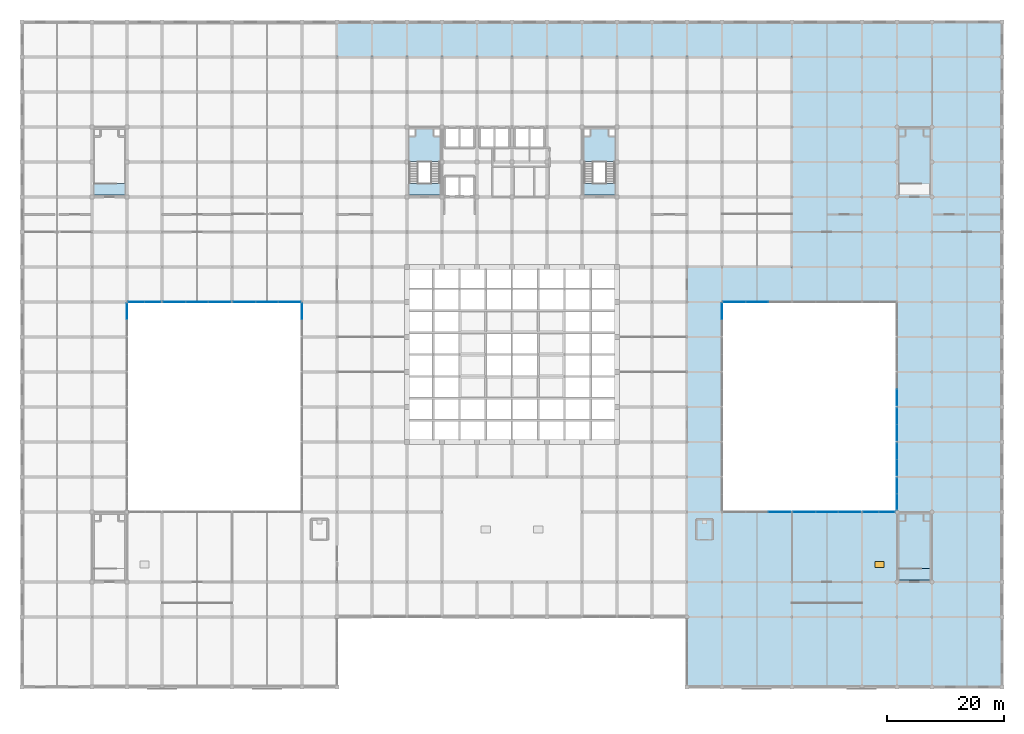
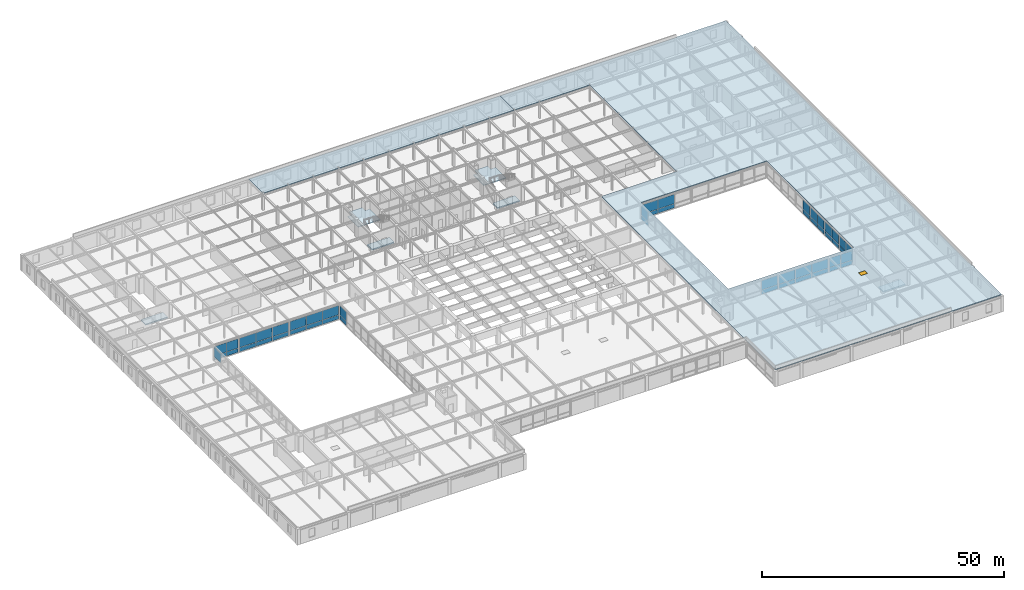
# One storey, part 98 of 111: 51 plates, 8 slabs, 1 window, 1 opening, 16 elements without a shape of their own.
"""IFC4 building model written with IfcOpenShell, lengths in metres."""

from ifc_helpers import new_model, si_unit, direction, frame, origin, origin_2d, place, context, subcontext, project, spatial, polyline, rectangle, outline, extrude, material, layer, layer_set, type_object, element, fill, aggregate, save


model = new_model("IFC4")

# Units and contexts
model_context = context("Model", 3, precision=1e-05, world=origin(), true_north=direction((0.0, 1.0)))
body_context = subcontext(model_context, "Body", "Model", "MODEL_VIEW")
ifc_project = project(units=[si_unit("LENGTHUNIT", "METRE"), si_unit("AREAUNIT", "SQUARE_METRE"), si_unit("VOLUMEUNIT", "CUBIC_METRE"), si_unit("PLANEANGLEUNIT", "RADIAN"), si_unit("MASSUNIT", "GRAM", prefix="KILO")], contexts=[model_context])

# Site, building, storey
site_placement = place(None, origin())
site = spatial("IfcSite", under=ifc_project, at=site_placement, CompositionType="ELEMENT")
building_placement = place(site_placement, origin())
building = spatial("IfcBuilding", under=site, at=building_placement, Name="Zlatovratsky Civic Hall", CompositionType="ELEMENT")
storey_placement = place(building_placement, frame((0.0, 0.0, 16.5)))
storey = spatial("IfcBuildingStorey", under=building, at=storey_placement, Name="L04", CompositionType="ELEMENT", Elevation=16.5)

# Curtain wall, plates
ifc_material_1 = material(Name="Anodised bronze aluminium", Category="aluminium")
ifc_layer_1 = layer(ifc_material_1, 0.159912109375)
ifc_layer_set_1 = layer_set([ifc_layer_1], Name="Anodised bronze aluminium")
curtain_wall_type_1 = type_object("IfcCurtainWallType", Name="CurtainWall_Bronze_5750x3550_18", PredefinedType="NOTDEFINED", material=ifc_layer_set_1)
curtain_wall_1_placement = place(storey_placement, origin())
curtain_wall_1 = element("IfcCurtainWall", 1, at=curtain_wall_1_placement, inside=storey, type_object=curtain_wall_type_1, Name="CW-096", PredefinedType="NOTDEFINED")
ifc_material_2 = material(Name="Low-E laminated double glazing", Category="glass")
ifc_layer_2 = layer(ifc_material_2, 0.02392578125)
ifc_layer_set_2 = layer_set([ifc_layer_2], Name="Low-E laminated double glazing")
plate_type = type_object("IfcPlateType", Name="Panel_CourtGlazing_24", PredefinedType="CURTAIN_PANEL", material=ifc_layer_set_2)
plate_1_placement = place(storey_placement, frame((19.577392578125, 66.0, 0.06005859375), z_axis=(0.0, 0.0, 1.0), x_axis=(1.0, 0.0, 0.0)))
plate_1 = element("IfcPlate", 2, at=plate_1_placement, type_object=plate_type, Name="CW-18 panel 1.1", PredefinedType="CURTAIN_PANEL", context=body_context, shape_type="SweptSolid", body=[
    extrude(rectangle(XDim=2.784912109375, YDim=0.02392578125, at=origin_2d()), origin(), (0.0, 0.0, 1.0), 1.010009765625),
])
plate_2_placement = place(storey_placement, frame((19.577392578125, 66.0, 1.1298828125), z_axis=(0.0, 0.0, 1.0), x_axis=(1.0, 0.0, 0.0)))
plate_2 = element("IfcPlate", 3, at=plate_2_placement, type_object=plate_type, Name="CW-18 panel 1.2", PredefinedType="CURTAIN_PANEL", context=body_context, shape_type="SweptSolid", body=[
    extrude(rectangle(XDim=2.784912109375, YDim=0.02392578125, at=origin_2d()), origin(), (0.0, 0.0, 1.0), 2.360107421875),
])
plate_3_placement = place(storey_placement, frame((22.422607421875, 66.0, 0.06005859375), z_axis=(0.0, 0.0, 1.0), x_axis=(1.0, 0.0, 0.0)))
plate_3 = element("IfcPlate", 4, at=plate_3_placement, type_object=plate_type, Name="CW-18 panel 2.1", PredefinedType="CURTAIN_PANEL", context=body_context, shape_type="SweptSolid", body=[
    extrude(rectangle(XDim=2.784912109375, YDim=0.02392578125, at=origin_2d()), origin(), (0.0, 0.0, 1.0), 1.010009765625),
])
plate_4_placement = place(storey_placement, frame((22.422607421875, 66.0, 1.1298828125), z_axis=(0.0, 0.0, 1.0), x_axis=(1.0, 0.0, 0.0)))
plate_4 = element("IfcPlate", 5, at=plate_4_placement, type_object=plate_type, Name="CW-18 panel 2.2", PredefinedType="CURTAIN_PANEL", context=body_context, shape_type="SweptSolid", body=[
    extrude(rectangle(XDim=2.784912109375, YDim=0.02392578125, at=origin_2d()), origin(), (0.0, 0.0, 1.0), 2.360107421875),
])
aggregate(curtain_wall_1, [plate_1, plate_2, plate_3, plate_4])

ifc_layer_3 = layer(ifc_material_1, 0.159912109375)
ifc_layer_set_3 = layer_set([ifc_layer_3], Name="Anodised bronze aluminium")
curtain_wall_type_2 = type_object("IfcCurtainWallType", Name="CurtainWall_Bronze_11750x3550_17", PredefinedType="NOTDEFINED", material=ifc_layer_set_3)
curtain_wall_2_placement = place(storey_placement, origin())
curtain_wall_2 = element("IfcCurtainWall", 6, at=curtain_wall_2_placement, inside=storey, type_object=curtain_wall_type_2, Name="CW-097", PredefinedType="NOTDEFINED")
plate_5_placement = place(storey_placement, frame((26.098388671875, 66.0, 0.06005859375), z_axis=(0.0, 0.0, 1.0), x_axis=(1.0, 0.0, 0.0)))
plate_5 = element("IfcPlate", 7, at=plate_5_placement, type_object=plate_type, Name="CW-17 panel 1.1", PredefinedType="CURTAIN_PANEL", context=body_context, shape_type="SweptSolid", body=[
    extrude(rectangle(XDim=3.82666015625, YDim=0.02392578125, at=origin_2d()), origin(), (0.0, 0.0, 1.0), 1.010009765625),
])
plate_6_placement = place(storey_placement, frame((26.098388671875, 66.0, 1.1298828125), z_axis=(0.0, 0.0, 1.0), x_axis=(1.0, 0.0, 0.0)))
plate_6 = element("IfcPlate", 8, at=plate_6_placement, type_object=plate_type, Name="CW-17 panel 1.2", PredefinedType="CURTAIN_PANEL", context=body_context, shape_type="SweptSolid", body=[
    extrude(rectangle(XDim=3.82666015625, YDim=0.02392578125, at=origin_2d()), origin(), (0.0, 0.0, 1.0), 2.360107421875),
])
plate_7_placement = place(storey_placement, frame((30.0, 66.0, 0.06005859375), z_axis=(0.0, 0.0, 1.0), x_axis=(1.0, 0.0, 0.0)))
plate_7 = element("IfcPlate", 9, at=plate_7_placement, type_object=plate_type, Name="CW-17 panel 2.1", PredefinedType="CURTAIN_PANEL", context=body_context, shape_type="SweptSolid", body=[
    extrude(rectangle(XDim=3.856689453125, YDim=0.02392578125, at=origin_2d()), origin(), (0.0, 0.0, 1.0), 1.010009765625),
])
plate_8_placement = place(storey_placement, frame((30.0, 66.0, 1.1298828125), z_axis=(0.0, 0.0, 1.0), x_axis=(1.0, 0.0, 0.0)))
plate_8 = element("IfcPlate", 10, at=plate_8_placement, type_object=plate_type, Name="CW-17 panel 2.2", PredefinedType="CURTAIN_PANEL", context=body_context, shape_type="SweptSolid", body=[
    extrude(rectangle(XDim=3.856689453125, YDim=0.02392578125, at=origin_2d()), origin(), (0.0, 0.0, 1.0), 2.360107421875),
])
plate_9_placement = place(storey_placement, frame((33.901611328125, 66.0, 0.06005859375), z_axis=(0.0, 0.0, 1.0), x_axis=(1.0, 0.0, 0.0)))
plate_9 = element("IfcPlate", 11, at=plate_9_placement, type_object=plate_type, Name="CW-17 panel 3.1", PredefinedType="CURTAIN_PANEL", context=body_context, shape_type="SweptSolid", body=[
    extrude(rectangle(XDim=3.82666015625, YDim=0.02392578125, at=origin_2d()), origin(), (0.0, 0.0, 1.0), 1.010009765625),
])
plate_10_placement = place(storey_placement, frame((33.901611328125, 66.0, 1.1298828125), z_axis=(0.0, 0.0, 1.0), x_axis=(1.0, 0.0, 0.0)))
plate_10 = element("IfcPlate", 12, at=plate_10_placement, type_object=plate_type, Name="CW-17 panel 3.2", PredefinedType="CURTAIN_PANEL", context=body_context, shape_type="SweptSolid", body=[
    extrude(rectangle(XDim=3.82666015625, YDim=0.02392578125, at=origin_2d()), origin(), (0.0, 0.0, 1.0), 2.360107421875),
])
aggregate(curtain_wall_2, [plate_5, plate_6, plate_7, plate_8, plate_9, plate_10])

curtain_wall_3_placement = place(storey_placement, origin())
curtain_wall_3 = element("IfcCurtainWall", 13, at=curtain_wall_3_placement, inside=storey, type_object=curtain_wall_type_2, Name="CW-098", PredefinedType="NOTDEFINED")
plate_11_placement = place(storey_placement, frame((38.098388671875, 66.0, 0.06005859375), z_axis=(0.0, 0.0, 1.0), x_axis=(1.0, 0.0, 0.0)))
plate_11 = element("IfcPlate", 14, at=plate_11_placement, type_object=plate_type, Name="CW-17 panel 1.1", PredefinedType="CURTAIN_PANEL", context=body_context, shape_type="SweptSolid", body=[
    extrude(rectangle(XDim=3.82666015625, YDim=0.02392578125, at=origin_2d()), origin(), (0.0, 0.0, 1.0), 1.010009765625),
])
plate_12_placement = place(storey_placement, frame((38.098388671875, 66.0, 1.1298828125), z_axis=(0.0, 0.0, 1.0), x_axis=(1.0, 0.0, 0.0)))
plate_12 = element("IfcPlate", 15, at=plate_12_placement, type_object=plate_type, Name="CW-17 panel 1.2", PredefinedType="CURTAIN_PANEL", context=body_context, shape_type="SweptSolid", body=[
    extrude(rectangle(XDim=3.82666015625, YDim=0.02392578125, at=origin_2d()), origin(), (0.0, 0.0, 1.0), 2.360107421875),
])
plate_13_placement = place(storey_placement, frame((42.0, 66.0, 0.06005859375), z_axis=(0.0, 0.0, 1.0), x_axis=(1.0, 0.0, 0.0)))
plate_13 = element("IfcPlate", 16, at=plate_13_placement, type_object=plate_type, Name="CW-17 panel 2.1", PredefinedType="CURTAIN_PANEL", context=body_context, shape_type="SweptSolid", body=[
    extrude(rectangle(XDim=3.856689453125, YDim=0.02392578125, at=origin_2d()), origin(), (0.0, 0.0, 1.0), 1.010009765625),
])
plate_14_placement = place(storey_placement, frame((42.0, 66.0, 1.1298828125), z_axis=(0.0, 0.0, 1.0), x_axis=(1.0, 0.0, 0.0)))
plate_14 = element("IfcPlate", 17, at=plate_14_placement, type_object=plate_type, Name="CW-17 panel 2.2", PredefinedType="CURTAIN_PANEL", context=body_context, shape_type="SweptSolid", body=[
    extrude(rectangle(XDim=3.856689453125, YDim=0.02392578125, at=origin_2d()), origin(), (0.0, 0.0, 1.0), 2.360107421875),
])
plate_15_placement = place(storey_placement, frame((45.901611328125, 66.0, 0.06005859375), z_axis=(0.0, 0.0, 1.0), x_axis=(1.0, 0.0, 0.0)))
plate_15 = element("IfcPlate", 18, at=plate_15_placement, type_object=plate_type, Name="CW-17 panel 3.1", PredefinedType="CURTAIN_PANEL", context=body_context, shape_type="SweptSolid", body=[
    extrude(rectangle(XDim=3.82666015625, YDim=0.02392578125, at=origin_2d()), origin(), (0.0, 0.0, 1.0), 1.010009765625),
])
plate_16_placement = place(storey_placement, frame((45.901611328125, 66.0, 1.1298828125), z_axis=(0.0, 0.0, 1.0), x_axis=(1.0, 0.0, 0.0)))
plate_16 = element("IfcPlate", 19, at=plate_16_placement, type_object=plate_type, Name="CW-17 panel 3.2", PredefinedType="CURTAIN_PANEL", context=body_context, shape_type="SweptSolid", body=[
    extrude(rectangle(XDim=3.82666015625, YDim=0.02392578125, at=origin_2d()), origin(), (0.0, 0.0, 1.0), 2.360107421875),
])
aggregate(curtain_wall_3, [plate_11, plate_12, plate_13, plate_14, plate_15, plate_16])

# Curtain wall, plate
curtain_wall_4_placement = place(storey_placement, origin())
curtain_wall_4 = element("IfcCurtainWall", 20, at=curtain_wall_4_placement, inside=storey, type_object=curtain_wall_type_1, Name="CW-104", PredefinedType="NOTDEFINED")
plate_17_placement = place(storey_placement, frame((18.0, 64.422607421875, 1.1298828125), z_axis=(0.0, 0.0, 1.0), x_axis=(0.0, 1.0, 0.0)))
plate_17 = element("IfcPlate", 21, at=plate_17_placement, type_object=plate_type, Name="CW-18 panel 2.2", PredefinedType="CURTAIN_PANEL", context=body_context, shape_type="SweptSolid", body=[
    extrude(rectangle(XDim=2.784912109375, YDim=0.02392578125, at=origin_2d()), origin(), (0.0, 0.0, 1.0), 2.360107421875),
])
aggregate(curtain_wall_4, [plate_17])

# Curtain wall, plates
curtain_wall_5_placement = place(storey_placement, origin())
curtain_wall_5 = element("IfcCurtainWall", 22, at=curtain_wall_5_placement, inside=storey, type_object=curtain_wall_type_1, Name="CW-110", PredefinedType="NOTDEFINED")
plate_18_placement = place(storey_placement, frame((48.0, 64.422607421875, 0.06005859375), z_axis=(0.0, 0.0, 1.0), x_axis=(0.0, 1.0, 0.0)))
plate_18 = element("IfcPlate", 23, at=plate_18_placement, type_object=plate_type, Name="CW-18 panel 2.1", PredefinedType="CURTAIN_PANEL", context=body_context, shape_type="SweptSolid", body=[
    extrude(rectangle(XDim=2.784912109375, YDim=0.02392578125, at=origin_2d()), origin(), (0.0, 0.0, 1.0), 1.010009765625),
])
plate_19_placement = place(storey_placement, frame((48.0, 64.422607421875, 1.1298828125), z_axis=(0.0, 0.0, 1.0), x_axis=(0.0, 1.0, 0.0)))
plate_19 = element("IfcPlate", 24, at=plate_19_placement, type_object=plate_type, Name="CW-18 panel 2.2", PredefinedType="CURTAIN_PANEL", context=body_context, shape_type="SweptSolid", body=[
    extrude(rectangle(XDim=2.784912109375, YDim=0.02392578125, at=origin_2d()), origin(), (0.0, 0.0, 1.0), 2.360107421875),
])
aggregate(curtain_wall_5, [plate_18, plate_19])

curtain_wall_6_placement = place(storey_placement, origin())
curtain_wall_6 = element("IfcCurtainWall", 25, at=curtain_wall_6_placement, inside=storey, type_object=curtain_wall_type_2, Name="CW-111", PredefinedType="NOTDEFINED")
plate_20_placement = place(storey_placement, frame((129.901611328125, 30.0, 0.06005859375), z_axis=(0.0, 0.0, 1.0), x_axis=(1.0, 0.0, 0.0)))
plate_20 = element("IfcPlate", 26, at=plate_20_placement, type_object=plate_type, Name="CW-17 panel 3.1", PredefinedType="CURTAIN_PANEL", context=body_context, shape_type="SweptSolid", body=[
    extrude(rectangle(XDim=3.82666015625, YDim=0.02392578125, at=origin_2d()), origin(), (0.0, 0.0, 1.0), 1.010009765625),
])
plate_21_placement = place(storey_placement, frame((129.901611328125, 30.0, 1.1298828125), z_axis=(0.0, 0.0, 1.0), x_axis=(1.0, 0.0, 0.0)))
plate_21 = element("IfcPlate", 27, at=plate_21_placement, type_object=plate_type, Name="CW-17 panel 3.2", PredefinedType="CURTAIN_PANEL", context=body_context, shape_type="SweptSolid", body=[
    extrude(rectangle(XDim=3.82666015625, YDim=0.02392578125, at=origin_2d()), origin(), (0.0, 0.0, 1.0), 2.360107421875),
])
aggregate(curtain_wall_6, [plate_20, plate_21])

curtain_wall_7_placement = place(storey_placement, origin())
curtain_wall_7 = element("IfcCurtainWall", 28, at=curtain_wall_7_placement, inside=storey, type_object=curtain_wall_type_2, Name="CW-112", PredefinedType="NOTDEFINED")
plate_22_placement = place(storey_placement, frame((134.098388671875, 30.0, 0.06005859375), z_axis=(0.0, 0.0, 1.0), x_axis=(1.0, 0.0, 0.0)))
plate_22 = element("IfcPlate", 29, at=plate_22_placement, type_object=plate_type, Name="CW-17 panel 1.1", PredefinedType="CURTAIN_PANEL", context=body_context, shape_type="SweptSolid", body=[
    extrude(rectangle(XDim=3.82666015625, YDim=0.02392578125, at=origin_2d()), origin(), (0.0, 0.0, 1.0), 1.010009765625),
])
plate_23_placement = place(storey_placement, frame((134.098388671875, 30.0, 1.1298828125), z_axis=(0.0, 0.0, 1.0), x_axis=(1.0, 0.0, 0.0)))
plate_23 = element("IfcPlate", 30, at=plate_23_placement, type_object=plate_type, Name="CW-17 panel 1.2", PredefinedType="CURTAIN_PANEL", context=body_context, shape_type="SweptSolid", body=[
    extrude(rectangle(XDim=3.82666015625, YDim=0.02392578125, at=origin_2d()), origin(), (0.0, 0.0, 1.0), 2.360107421875),
])
plate_24_placement = place(storey_placement, frame((138.0, 30.0, 0.06005859375), z_axis=(0.0, 0.0, 1.0), x_axis=(1.0, 0.0, 0.0)))
plate_24 = element("IfcPlate", 31, at=plate_24_placement, type_object=plate_type, Name="CW-17 panel 2.1", PredefinedType="CURTAIN_PANEL", context=body_context, shape_type="SweptSolid", body=[
    extrude(rectangle(XDim=3.856689453125, YDim=0.02392578125, at=origin_2d()), origin(), (0.0, 0.0, 1.0), 1.010009765625),
])
plate_25_placement = place(storey_placement, frame((138.0, 30.0, 1.1298828125), z_axis=(0.0, 0.0, 1.0), x_axis=(1.0, 0.0, 0.0)))
plate_25 = element("IfcPlate", 32, at=plate_25_placement, type_object=plate_type, Name="CW-17 panel 2.2", PredefinedType="CURTAIN_PANEL", context=body_context, shape_type="SweptSolid", body=[
    extrude(rectangle(XDim=3.856689453125, YDim=0.02392578125, at=origin_2d()), origin(), (0.0, 0.0, 1.0), 2.360107421875),
])
plate_26_placement = place(storey_placement, frame((141.901611328125, 30.0, 0.06005859375), z_axis=(0.0, 0.0, 1.0), x_axis=(1.0, 0.0, 0.0)))
plate_26 = element("IfcPlate", 33, at=plate_26_placement, type_object=plate_type, Name="CW-17 panel 3.1", PredefinedType="CURTAIN_PANEL", context=body_context, shape_type="SweptSolid", body=[
    extrude(rectangle(XDim=3.82666015625, YDim=0.02392578125, at=origin_2d()), origin(), (0.0, 0.0, 1.0), 1.010009765625),
])
plate_27_placement = place(storey_placement, frame((141.901611328125, 30.0, 1.1298828125), z_axis=(0.0, 0.0, 1.0), x_axis=(1.0, 0.0, 0.0)))
plate_27 = element("IfcPlate", 34, at=plate_27_placement, type_object=plate_type, Name="CW-17 panel 3.2", PredefinedType="CURTAIN_PANEL", context=body_context, shape_type="SweptSolid", body=[
    extrude(rectangle(XDim=3.82666015625, YDim=0.02392578125, at=origin_2d()), origin(), (0.0, 0.0, 1.0), 2.360107421875),
])
aggregate(curtain_wall_7, [plate_22, plate_23, plate_24, plate_25, plate_26, plate_27])

ifc_layer_4 = layer(ifc_material_1, 0.159912109375)
ifc_layer_set_4 = layer_set([ifc_layer_4], Name="Anodised bronze aluminium")
curtain_wall_type_3 = type_object("IfcCurtainWallType", Name="CurtainWall_Bronze_5530x3550_19", PredefinedType="NOTDEFINED", material=ifc_layer_set_4)
curtain_wall_8_placement = place(storey_placement, origin())
curtain_wall_8 = element("IfcCurtainWall", 35, at=curtain_wall_8_placement, inside=storey, type_object=curtain_wall_type_3, Name="CW-113", PredefinedType="NOTDEFINED")
plate_28_placement = place(storey_placement, frame((145.521240234375, 30.0, 0.06005859375), z_axis=(0.0, 0.0, 1.0), x_axis=(1.0, 0.0, 0.0)))
plate_28 = element("IfcPlate", 36, at=plate_28_placement, type_object=plate_type, Name="CW-19 panel 1.1", PredefinedType="CURTAIN_PANEL", context=body_context, shape_type="SweptSolid", body=[
    extrude(rectangle(XDim=2.672607421875, YDim=0.02392578125, at=origin_2d()), origin(), (0.0, 0.0, 1.0), 1.010009765625),
])
plate_29_placement = place(storey_placement, frame((145.521240234375, 30.0, 1.1298828125), z_axis=(0.0, 0.0, 1.0), x_axis=(1.0, 0.0, 0.0)))
plate_29 = element("IfcPlate", 37, at=plate_29_placement, type_object=plate_type, Name="CW-19 panel 1.2", PredefinedType="CURTAIN_PANEL", context=body_context, shape_type="SweptSolid", body=[
    extrude(rectangle(XDim=2.672607421875, YDim=0.02392578125, at=origin_2d()), origin(), (0.0, 0.0, 1.0), 2.360107421875),
])
plate_30_placement = place(storey_placement, frame((148.253662109375, 30.0, 0.06005859375), z_axis=(0.0, 0.0, 1.0), x_axis=(1.0, 0.0, 0.0)))
plate_30 = element("IfcPlate", 38, at=plate_30_placement, type_object=plate_type, Name="CW-19 panel 2.1", PredefinedType="CURTAIN_PANEL", context=body_context, shape_type="SweptSolid", body=[
    extrude(rectangle(XDim=2.672607421875, YDim=0.02392578125, at=origin_2d()), origin(), (0.0, 0.0, 1.0), 1.010009765625),
])
plate_31_placement = place(storey_placement, frame((148.253662109375, 30.0, 1.1298828125), z_axis=(0.0, 0.0, 1.0), x_axis=(1.0, 0.0, 0.0)))
plate_31 = element("IfcPlate", 39, at=plate_31_placement, type_object=plate_type, Name="CW-19 panel 2.2", PredefinedType="CURTAIN_PANEL", context=body_context, shape_type="SweptSolid", body=[
    extrude(rectangle(XDim=2.672607421875, YDim=0.02392578125, at=origin_2d()), origin(), (0.0, 0.0, 1.0), 2.360107421875),
])
aggregate(curtain_wall_8, [plate_28, plate_29, plate_30, plate_31])

curtain_wall_9_placement = place(storey_placement, origin())
curtain_wall_9 = element("IfcCurtainWall", 40, at=curtain_wall_9_placement, inside=storey, type_object=curtain_wall_type_2, Name="CW-114", PredefinedType="NOTDEFINED")
plate_32_placement = place(storey_placement, frame((122.098388671875, 66.0, 0.06005859375), z_axis=(0.0, 0.0, 1.0), x_axis=(1.0, 0.0, 0.0)))
plate_32 = element("IfcPlate", 41, at=plate_32_placement, type_object=plate_type, Name="CW-17 panel 1.1", PredefinedType="CURTAIN_PANEL", context=body_context, shape_type="SweptSolid", body=[
    extrude(rectangle(XDim=3.82666015625, YDim=0.02392578125, at=origin_2d()), origin(), (0.0, 0.0, 1.0), 1.010009765625),
])
plate_33_placement = place(storey_placement, frame((122.098388671875, 66.0, 1.1298828125), z_axis=(0.0, 0.0, 1.0), x_axis=(1.0, 0.0, 0.0)))
plate_33 = element("IfcPlate", 42, at=plate_33_placement, type_object=plate_type, Name="CW-17 panel 1.2", PredefinedType="CURTAIN_PANEL", context=body_context, shape_type="SweptSolid", body=[
    extrude(rectangle(XDim=3.82666015625, YDim=0.02392578125, at=origin_2d()), origin(), (0.0, 0.0, 1.0), 2.360107421875),
])
plate_34_placement = place(storey_placement, frame((126.0, 66.0, 0.06005859375), z_axis=(0.0, 0.0, 1.0), x_axis=(1.0, 0.0, 0.0)))
plate_34 = element("IfcPlate", 43, at=plate_34_placement, type_object=plate_type, Name="CW-17 panel 2.1", PredefinedType="CURTAIN_PANEL", context=body_context, shape_type="SweptSolid", body=[
    extrude(rectangle(XDim=3.856689453125, YDim=0.02392578125, at=origin_2d()), origin(), (0.0, 0.0, 1.0), 1.010009765625),
])
plate_35_placement = place(storey_placement, frame((126.0, 66.0, 1.1298828125), z_axis=(0.0, 0.0, 1.0), x_axis=(1.0, 0.0, 0.0)))
plate_35 = element("IfcPlate", 44, at=plate_35_placement, type_object=plate_type, Name="CW-17 panel 2.2", PredefinedType="CURTAIN_PANEL", context=body_context, shape_type="SweptSolid", body=[
    extrude(rectangle(XDim=3.856689453125, YDim=0.02392578125, at=origin_2d()), origin(), (0.0, 0.0, 1.0), 2.360107421875),
])
aggregate(curtain_wall_9, [plate_32, plate_33, plate_34, plate_35])

curtain_wall_10_placement = place(storey_placement, origin())
curtain_wall_10 = element("IfcCurtainWall", 45, at=curtain_wall_10_placement, inside=storey, type_object=curtain_wall_type_1, Name="CW-122", PredefinedType="NOTDEFINED")
plate_36_placement = place(storey_placement, frame((120.0, 64.422607421875, 0.06005859375), z_axis=(0.0, 0.0, 1.0), x_axis=(0.0, 1.0, 0.0)))
plate_36 = element("IfcPlate", 46, at=plate_36_placement, type_object=plate_type, Name="CW-18 panel 2.1", PredefinedType="CURTAIN_PANEL", context=body_context, shape_type="SweptSolid", body=[
    extrude(rectangle(XDim=2.784912109375, YDim=0.02392578125, at=origin_2d()), origin(), (0.0, 0.0, 1.0), 1.010009765625),
])
plate_37_placement = place(storey_placement, frame((120.0, 64.422607421875, 1.1298828125), z_axis=(0.0, 0.0, 1.0), x_axis=(0.0, 1.0, 0.0)))
plate_37 = element("IfcPlate", 47, at=plate_37_placement, type_object=plate_type, Name="CW-18 panel 2.2", PredefinedType="CURTAIN_PANEL", context=body_context, shape_type="SweptSolid", body=[
    extrude(rectangle(XDim=2.784912109375, YDim=0.02392578125, at=origin_2d()), origin(), (0.0, 0.0, 1.0), 2.360107421875),
])
aggregate(curtain_wall_10, [plate_36, plate_37])

ifc_layer_5 = layer(ifc_material_1, 0.159912109375)
ifc_layer_set_5 = layer_set([ifc_layer_5], Name="Anodised bronze aluminium")
curtain_wall_type_4 = type_object("IfcCurtainWallType", Name="CurtainWall_Bronze_5520x3550_16", PredefinedType="NOTDEFINED", material=ifc_layer_set_5)
curtain_wall_11_placement = place(storey_placement, origin())
curtain_wall_11 = element("IfcCurtainWall", 48, at=curtain_wall_11_placement, inside=storey, type_object=curtain_wall_type_4, Name="CW-123", PredefinedType="NOTDEFINED")
plate_38_placement = place(storey_placement, frame((150.0, 31.746337890625, 0.06005859375), z_axis=(0.0, 0.0, 1.0), x_axis=(0.0, 1.0, 0.0)))
plate_38 = element("IfcPlate", 49, at=plate_38_placement, type_object=plate_type, Name="CW-16 panel 1.1", PredefinedType="CURTAIN_PANEL", context=body_context, shape_type="SweptSolid", body=[
    extrude(rectangle(XDim=2.672607421875, YDim=0.02392578125, at=origin_2d()), origin(), (0.0, 0.0, 1.0), 1.010009765625),
])
plate_39_placement = place(storey_placement, frame((150.0, 31.746337890625, 1.1298828125), z_axis=(0.0, 0.0, 1.0), x_axis=(0.0, 1.0, 0.0)))
plate_39 = element("IfcPlate", 50, at=plate_39_placement, type_object=plate_type, Name="CW-16 panel 1.2", PredefinedType="CURTAIN_PANEL", context=body_context, shape_type="SweptSolid", body=[
    extrude(rectangle(XDim=2.672607421875, YDim=0.02392578125, at=origin_2d()), origin(), (0.0, 0.0, 1.0), 2.360107421875),
])
plate_40_placement = place(storey_placement, frame((150.0, 34.478759765625, 0.06005859375), z_axis=(0.0, 0.0, 1.0), x_axis=(0.0, 1.0, 0.0)))
plate_40 = element("IfcPlate", 51, at=plate_40_placement, type_object=plate_type, Name="CW-16 panel 2.1", PredefinedType="CURTAIN_PANEL", context=body_context, shape_type="SweptSolid", body=[
    extrude(rectangle(XDim=2.672607421875, YDim=0.02392578125, at=origin_2d()), origin(), (0.0, 0.0, 1.0), 1.010009765625),
])
plate_41_placement = place(storey_placement, frame((150.0, 34.478759765625, 1.1298828125), z_axis=(0.0, 0.0, 1.0), x_axis=(0.0, 1.0, 0.0)))
plate_41 = element("IfcPlate", 52, at=plate_41_placement, type_object=plate_type, Name="CW-16 panel 2.2", PredefinedType="CURTAIN_PANEL", context=body_context, shape_type="SweptSolid", body=[
    extrude(rectangle(XDim=2.672607421875, YDim=0.02392578125, at=origin_2d()), origin(), (0.0, 0.0, 1.0), 2.360107421875),
])
aggregate(curtain_wall_11, [plate_38, plate_39, plate_40, plate_41])

curtain_wall_12_placement = place(storey_placement, origin())
curtain_wall_12 = element("IfcCurtainWall", 53, at=curtain_wall_12_placement, inside=storey, type_object=curtain_wall_type_1, Name="CW-124", PredefinedType="NOTDEFINED")
plate_42_placement = place(storey_placement, frame((150.0, 37.577392578125, 0.06005859375), z_axis=(0.0, 0.0, 1.0), x_axis=(0.0, 1.0, 0.0)))
plate_42 = element("IfcPlate", 54, at=plate_42_placement, type_object=plate_type, Name="CW-18 panel 1.1", PredefinedType="CURTAIN_PANEL", context=body_context, shape_type="SweptSolid", body=[
    extrude(rectangle(XDim=2.784912109375, YDim=0.02392578125, at=origin_2d()), origin(), (0.0, 0.0, 1.0), 1.010009765625),
])
plate_43_placement = place(storey_placement, frame((150.0, 37.577392578125, 1.1298828125), z_axis=(0.0, 0.0, 1.0), x_axis=(0.0, 1.0, 0.0)))
plate_43 = element("IfcPlate", 55, at=plate_43_placement, type_object=plate_type, Name="CW-18 panel 1.2", PredefinedType="CURTAIN_PANEL", context=body_context, shape_type="SweptSolid", body=[
    extrude(rectangle(XDim=2.784912109375, YDim=0.02392578125, at=origin_2d()), origin(), (0.0, 0.0, 1.0), 2.360107421875),
])
plate_44_placement = place(storey_placement, frame((150.0, 40.422607421875, 0.06005859375), z_axis=(0.0, 0.0, 1.0), x_axis=(0.0, 1.0, 0.0)))
plate_44 = element("IfcPlate", 56, at=plate_44_placement, type_object=plate_type, Name="CW-18 panel 2.1", PredefinedType="CURTAIN_PANEL", context=body_context, shape_type="SweptSolid", body=[
    extrude(rectangle(XDim=2.784912109375, YDim=0.02392578125, at=origin_2d()), origin(), (0.0, 0.0, 1.0), 1.010009765625),
])
plate_45_placement = place(storey_placement, frame((150.0, 40.422607421875, 1.1298828125), z_axis=(0.0, 0.0, 1.0), x_axis=(0.0, 1.0, 0.0)))
plate_45 = element("IfcPlate", 57, at=plate_45_placement, type_object=plate_type, Name="CW-18 panel 2.2", PredefinedType="CURTAIN_PANEL", context=body_context, shape_type="SweptSolid", body=[
    extrude(rectangle(XDim=2.784912109375, YDim=0.02392578125, at=origin_2d()), origin(), (0.0, 0.0, 1.0), 2.360107421875),
])
aggregate(curtain_wall_12, [plate_42, plate_43, plate_44, plate_45])

curtain_wall_13_placement = place(storey_placement, origin())
curtain_wall_13 = element("IfcCurtainWall", 58, at=curtain_wall_13_placement, inside=storey, type_object=curtain_wall_type_1, Name="CW-125", PredefinedType="NOTDEFINED")
plate_46_placement = place(storey_placement, frame((150.0, 43.577392578125, 0.06005859375), z_axis=(0.0, 0.0, 1.0), x_axis=(0.0, 1.0, 0.0)))
plate_46 = element("IfcPlate", 59, at=plate_46_placement, type_object=plate_type, Name="CW-18 panel 1.1", PredefinedType="CURTAIN_PANEL", context=body_context, shape_type="SweptSolid", body=[
    extrude(rectangle(XDim=2.784912109375, YDim=0.02392578125, at=origin_2d()), origin(), (0.0, 0.0, 1.0), 1.010009765625),
])
plate_47_placement = place(storey_placement, frame((150.0, 43.577392578125, 1.1298828125), z_axis=(0.0, 0.0, 1.0), x_axis=(0.0, 1.0, 0.0)))
plate_47 = element("IfcPlate", 60, at=plate_47_placement, type_object=plate_type, Name="CW-18 panel 1.2", PredefinedType="CURTAIN_PANEL", context=body_context, shape_type="SweptSolid", body=[
    extrude(rectangle(XDim=2.784912109375, YDim=0.02392578125, at=origin_2d()), origin(), (0.0, 0.0, 1.0), 2.360107421875),
])
plate_48_placement = place(storey_placement, frame((150.0, 46.422607421875, 0.06005859375), z_axis=(0.0, 0.0, 1.0), x_axis=(0.0, 1.0, 0.0)))
plate_48 = element("IfcPlate", 61, at=plate_48_placement, type_object=plate_type, Name="CW-18 panel 2.1", PredefinedType="CURTAIN_PANEL", context=body_context, shape_type="SweptSolid", body=[
    extrude(rectangle(XDim=2.784912109375, YDim=0.02392578125, at=origin_2d()), origin(), (0.0, 0.0, 1.0), 1.010009765625),
])
plate_49_placement = place(storey_placement, frame((150.0, 46.422607421875, 1.1298828125), z_axis=(0.0, 0.0, 1.0), x_axis=(0.0, 1.0, 0.0)))
plate_49 = element("IfcPlate", 62, at=plate_49_placement, type_object=plate_type, Name="CW-18 panel 2.2", PredefinedType="CURTAIN_PANEL", context=body_context, shape_type="SweptSolid", body=[
    extrude(rectangle(XDim=2.784912109375, YDim=0.02392578125, at=origin_2d()), origin(), (0.0, 0.0, 1.0), 2.360107421875),
])
aggregate(curtain_wall_13, [plate_46, plate_47, plate_48, plate_49])

curtain_wall_14_placement = place(storey_placement, origin())
curtain_wall_14 = element("IfcCurtainWall", 63, at=curtain_wall_14_placement, inside=storey, type_object=curtain_wall_type_1, Name="CW-126", PredefinedType="NOTDEFINED")
plate_50_placement = place(storey_placement, frame((150.0, 49.577392578125, 0.06005859375), z_axis=(0.0, 0.0, 1.0), x_axis=(0.0, 1.0, 0.0)))
plate_50 = element("IfcPlate", 64, at=plate_50_placement, type_object=plate_type, Name="CW-18 panel 1.1", PredefinedType="CURTAIN_PANEL", context=body_context, shape_type="SweptSolid", body=[
    extrude(rectangle(XDim=2.784912109375, YDim=0.02392578125, at=origin_2d()), origin(), (0.0, 0.0, 1.0), 1.010009765625),
])
plate_51_placement = place(storey_placement, frame((150.0, 49.577392578125, 1.1298828125), z_axis=(0.0, 0.0, 1.0), x_axis=(0.0, 1.0, 0.0)))
plate_51 = element("IfcPlate", 65, at=plate_51_placement, type_object=plate_type, Name="CW-18 panel 1.2", PredefinedType="CURTAIN_PANEL", context=body_context, shape_type="SweptSolid", body=[
    extrude(rectangle(XDim=2.784912109375, YDim=0.02392578125, at=origin_2d()), origin(), (0.0, 0.0, 1.0), 2.360107421875),
])
aggregate(curtain_wall_14, [plate_50, plate_51])

# Slab, opening, window
ifc_material_3 = material(Name="Concrete C35/45 (B40)", Category="concrete")
ifc_layer_6 = layer(ifc_material_3, 0.199951171875)
ifc_layer_set_6 = layer_set([ifc_layer_6], Name="Concrete C35/45 (B40)")
slab_type_1 = type_object("IfcSlabType", Name="Slab_ChamberCofferedRoof_200", PredefinedType="ROOF", material=ifc_layer_set_6)
slab_1_placement = place(storey_placement, frame((0.0, 0.0, 4.0)))
slab_1 = element("IfcSlab", 66, at=slab_1_placement, inside=storey, type_object=slab_type_1, Name="SL-099", PredefinedType="ROOF", context=body_context, shape_type="SweptSolid", body=[
    extrude(outline(polyline([(114.0, 0.0), (168.0, 0.0), (168.0, 114.0), (114.0, 114.0), (114.0, 108.0), (132.0, 108.0), (132.0, 72.0), (114.0, 72.0), (114.0, 0.0)]), holes=[polyline([(120.0, 30.0), (150.0, 30.0), (150.0, 66.0), (120.0, 66.0), (120.0, 30.0)])]), origin(), (0.0, 0.0, 1.0), 0.199951171875),
])
opening_placement = place(slab_1_placement, frame((147.0, 21.0, 0.0)))
opening = element("IfcOpeningElement", 67, at=opening_placement, cuts=slab_1, Name="Opening SK-08", PredefinedType="OPENING", context=body_context, shape_type="SweptSolid", body=[
    extrude(rectangle(XDim=1.5, YDim=1.10009765625, at=origin_2d()), frame((0.0, 0.0, -0.014892578125)), (0.0, 0.0, 1.0), 0.229736328125),
])
ifc_material_4 = material(Name="Laminated safety rooflight glazing", Category="glass")
window_type = type_object("IfcWindowType", Name="Skylight_TowerCrownHatch_1500x1100", PartitioningType="SINGLE_PANEL", PredefinedType="SKYLIGHT", material=ifc_material_4)
window_placement = place(opening_placement, frame((0.0, 0.0, 0.14990234375)))
window = element("IfcWindow", 68, at=window_placement, inside=storey, type_object=window_type, Name="WN-0558", OverallHeight=1.10009765625, OverallWidth=1.5, PartitioningType="SINGLE_PANEL", PredefinedType="SKYLIGHT", context=body_context, shape_type="SweptSolid", body=[
    extrude(rectangle(XDim=1.5, YDim=1.10009765625, at=origin_2d()), origin(), (0.0, 0.0, 1.0), 0.050048828125),
])
fill(opening, window)

# Slabs
slab_2_placement = place(storey_placement, frame((0.0, 0.0, 4.0)))
element("IfcSlab", 69, at=slab_2_placement, inside=storey, type_object=slab_type_1, Name="SL-100", PredefinedType="ROOF", context=body_context, shape_type="SweptSolid", body=[
    extrude(outline(polyline([(54.0, 108.0), (114.0, 108.0), (114.0, 114.0), (54.0, 114.0), (54.0, 108.0)])), origin(), (0.0, 0.0, 1.0), 0.199951171875),
])
ifc_material_5 = material(Name="Concrete C30/37 (B35)", Category="concrete")
ifc_layer_7 = layer(ifc_material_5, 0.280029296875)
ifc_layer_set_7 = layer_set([ifc_layer_7], Name="Concrete C30/37 (B35)")
slab_type_2 = type_object("IfcSlabType", Name="Slab_CompactArchiveFloor_280", PredefinedType="FLOOR", material=ifc_layer_set_7)
slab_3_placement = place(storey_placement, frame((0.0, 0.0, -0.280029296875)))
element("IfcSlab", 70, at=slab_3_placement, inside=storey, type_object=slab_type_2, Name="SL-039", PredefinedType="FLOOR", context=body_context, shape_type="SweptSolid", body=[
    extrude(outline(polyline([(66.35009765625, 84.35009765625), (71.64990234375, 84.35009765625), (71.64990234375, 86.35009765625), (66.35009765625, 86.35009765625), (66.35009765625, 84.35009765625)])), origin(), (0.0, 0.0, 1.0), 0.280029296875),
])
slab_4_placement = place(storey_placement, frame((0.0, 0.0, -0.280029296875)))
element("IfcSlab", 71, at=slab_4_placement, inside=storey, type_object=slab_type_2, Name="SL-040", PredefinedType="FLOOR", context=body_context, shape_type="SweptSolid", body=[
    extrude(outline(polyline([(96.35009765625, 84.35009765625), (101.64990234375, 84.35009765625), (101.64990234375, 86.35009765625), (96.35009765625, 86.35009765625), (96.35009765625, 84.35009765625)])), origin(), (0.0, 0.0, 1.0), 0.280029296875),
])
slab_5_placement = place(storey_placement, frame((0.0, 0.0, -0.280029296875)))
element("IfcSlab", 72, at=slab_5_placement, inside=storey, type_object=slab_type_2, Name="SL-042", PredefinedType="FLOOR", context=body_context, shape_type="SweptSolid", body=[
    extrude(outline(polyline([(150.35009765625, 18.35009765625), (155.64990234375, 18.35009765625), (155.64990234375, 20.35009765625), (150.35009765625, 20.35009765625), (150.35009765625, 18.35009765625)])), origin(), (0.0, 0.0, 1.0), 0.280029296875),
])
slab_6_placement = place(storey_placement, frame((0.0, 0.0, -0.280029296875)))
element("IfcSlab", 73, at=slab_6_placement, inside=storey, type_object=slab_type_2, Name="SL-043", PredefinedType="FLOOR", context=body_context, shape_type="SweptSolid", body=[
    extrude(outline(polyline([(12.35009765625, 84.35009765625), (17.64990234375, 84.35009765625), (17.64990234375, 86.35009765625), (12.35009765625, 86.35009765625), (12.35009765625, 84.35009765625)])), origin(), (0.0, 0.0, 1.0), 0.280029296875),
])

# Stair, slab
stair_type = type_object("IfcStairType", Name="Stair_HALF_28R_1550W_03", PredefinedType="HALF_TURN_STAIR", material=ifc_material_5)
stair_1_placement = place(storey_placement, origin())
stair_1 = element("IfcStair", 74, at=stair_1_placement, inside=storey, type_object=stair_type, Name="ST-005", PredefinedType="HALF_TURN_STAIR")
ifc_layer_8 = layer(ifc_material_5, 0.179931640625)
ifc_layer_set_8 = layer_set([ifc_layer_8], Name="Concrete C30/37 (B35)")
slab_type_3 = type_object("IfcSlabType", Name="Slab_StairLanding_180", PredefinedType="LANDING", material=ifc_layer_set_8)
slab_7_placement = place(storey_placement, frame((0.0, 0.0, 2.070068359375)))
slab_7 = element("IfcSlab", 75, at=slab_7_placement, type_object=slab_type_3, Name="SL-LD-05", PredefinedType="LANDING", context=body_context, shape_type="SweptSolid", body=[
    extrude(outline(polyline([(66.35009765625, 90.054931640625), (71.64990234375, 90.054931640625), (71.64990234375, 94.39990234375), (70.550048828125, 94.39990234375), (70.550048828125, 95.64990234375), (67.449951171875, 95.64990234375), (67.449951171875, 94.39990234375), (66.35009765625, 94.39990234375), (66.35009765625, 90.054931640625)])), origin(), (0.0, 0.0, 1.0), 0.179931640625),
])
aggregate(stair_1, [slab_7])

stair_2_placement = place(storey_placement, origin())
stair_2 = element("IfcStair", 76, at=stair_2_placement, inside=storey, type_object=stair_type, Name="ST-024", PredefinedType="HALF_TURN_STAIR")
slab_8_placement = place(storey_placement, frame((0.0, 0.0, 2.070068359375)))
slab_8 = element("IfcSlab", 77, at=slab_8_placement, type_object=slab_type_3, Name="SL-LD-24", PredefinedType="LANDING", context=body_context, shape_type="SweptSolid", body=[
    extrude(outline(polyline([(96.35009765625, 90.054931640625), (101.64990234375, 90.054931640625), (101.64990234375, 94.39990234375), (100.550048828125, 94.39990234375), (100.550048828125, 95.64990234375), (97.449951171875, 95.64990234375), (97.449951171875, 94.39990234375), (96.35009765625, 94.39990234375), (96.35009765625, 90.054931640625)])), origin(), (0.0, 0.0, 1.0), 0.179931640625),
])
aggregate(stair_2, [slab_8])

save(model, "model.ifc")
